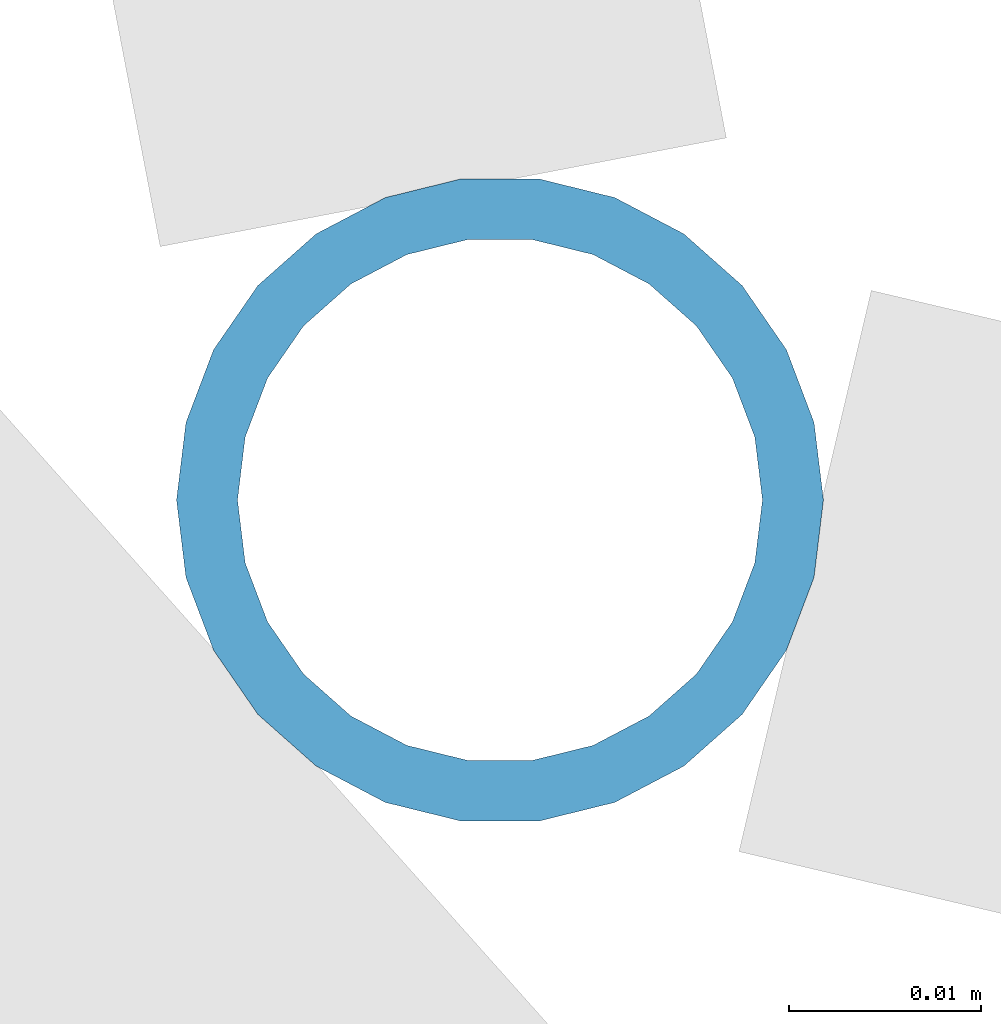
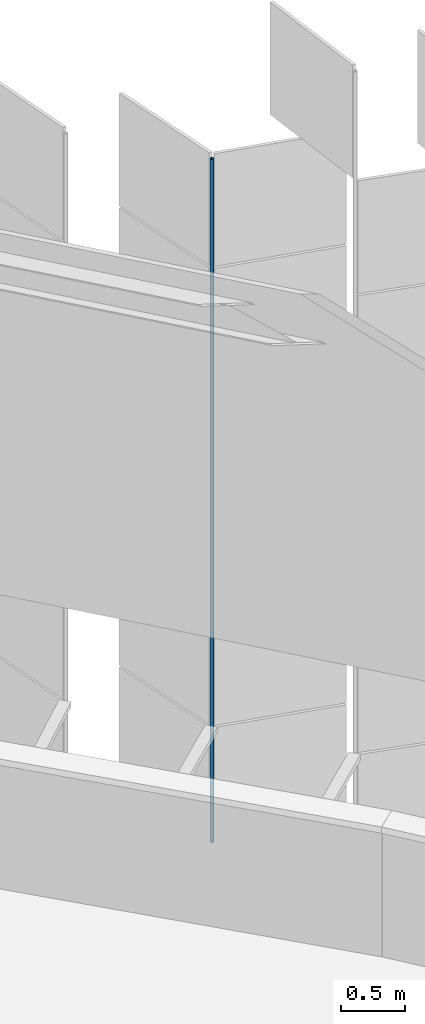
# One storey, part 321 of 483: 1 discrete accessory.
"""IFC4 building model written with IfcOpenShell, lengths in metres."""

from ifc_helpers import new_model, si_unit, direction, frame, origin, origin_2d, place, context, subcontext, project, spatial, hollow_circle, extrude, material, material_profile, profile_set, type_object, element, save


model = new_model("IFC4")

# Units and contexts
model_context = context("Model", 3, precision=1e-05, world=origin(), true_north=direction((0.0, 1.0)))
body_context = subcontext(model_context, "Body", "Model", "MODEL_VIEW")
ifc_project = project(units=[si_unit("LENGTHUNIT", "METRE"), si_unit("AREAUNIT", "SQUARE_METRE"), si_unit("VOLUMEUNIT", "CUBIC_METRE"), si_unit("PLANEANGLEUNIT", "RADIAN"), si_unit("MASSUNIT", "GRAM", prefix="KILO")], contexts=[model_context])

# Site, building, storey
site_placement = place(None, origin())
site = spatial("IfcSite", under=ifc_project, at=site_placement, CompositionType="ELEMENT")
building_placement = place(site_placement, origin())
building = spatial("IfcBuilding", under=site, at=building_placement, Name="Parallax Yard Mobility Hub", CompositionType="ELEMENT")
storey_placement = place(building_placement, frame((0.0, 0.0, 13.199951171875)))
storey = spatial("IfcBuildingStorey", under=building, at=storey_placement, Name="L04", CompositionType="ELEMENT", Elevation=13.199951171875)

# Discrete accessory
ifc_material = material(Name="Steel ASTM A500 Gr C, hot-dip galvanised", Category="steel")
ifc_material_profile = material_profile(ifc_material, hollow_circle(Radius=0.016845703125, WallThickness=0.003173828125, at=origin_2d()), Name="CHS 33.7x3.2")
ifc_profile_set = profile_set([ifc_material_profile], Name="Steel ASTM A500 Gr C, hot-dip galvanised")
discrete_accessory_type = type_object("IfcDiscreteAccessoryType", Name="Hinge post CHS 33.7x3.2", PredefinedType="BRACKET", material=ifc_profile_set)
discrete_accessory_placement = place(storey_placement, frame((211.862548828125, 125.970458984375, 0.0), z_axis=(0.0, 0.0, 1.0), x_axis=(1.0, 0.0, 0.0)))
element("IfcDiscreteAccessory", 1, at=discrete_accessory_placement, inside=storey, type_object=discrete_accessory_type, Name="Hinge post bay 45.6 level L04", PredefinedType="BRACKET", context=body_context, shape_type="SweptSolid", body=[
    extrude(hollow_circle(Radius=0.016845703125, WallThickness=0.003173828125, at=origin_2d()), origin(), (0.0, 0.0, 1.0), 6.550048828125),
])

save(model, "model.ifc")
